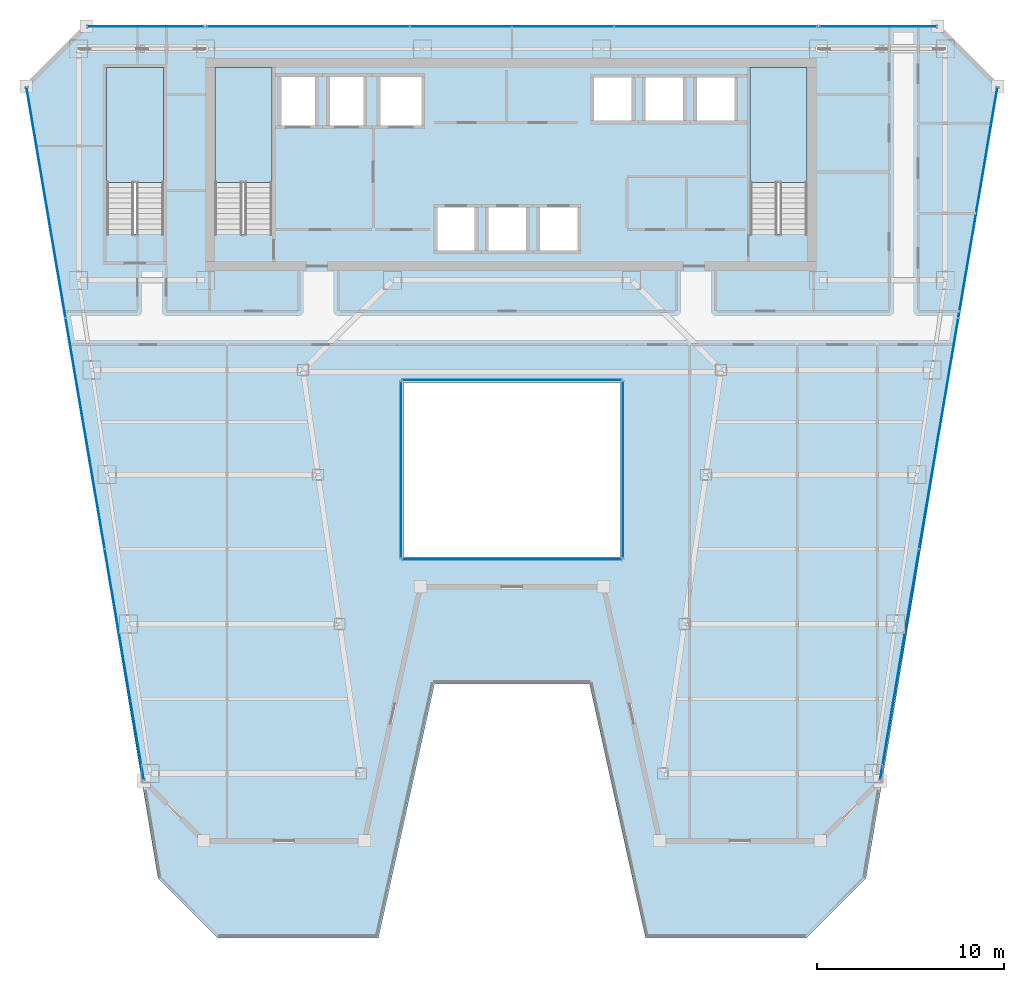
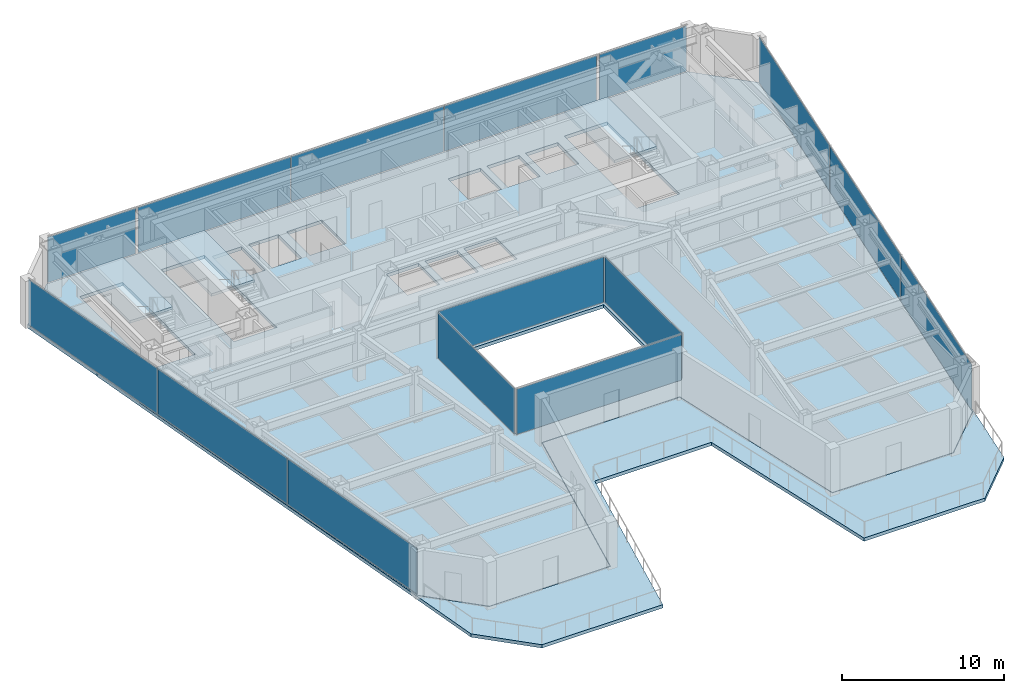
# One storey, part 22 of 31: 15 plates, 5 slabs, 12 elements without a shape of their own.
"""IFC4 building model written with IfcOpenShell, lengths in metres."""

from ifc_helpers import new_model, si_unit, direction, frame, origin, origin_2d, place, context, subcontext, project, spatial, polyline, rectangle, outline, extrude, material, layer, layer_set, type_object, element, aggregate, save


model = new_model("IFC4")

# Units and contexts
model_context = context("Model", 3, precision=1e-05, world=origin(), true_north=direction((0.0, 1.0)))
body_context = subcontext(model_context, "Body", "Model", "MODEL_VIEW")
ifc_project = project(units=[si_unit("LENGTHUNIT", "METRE"), si_unit("AREAUNIT", "SQUARE_METRE"), si_unit("VOLUMEUNIT", "CUBIC_METRE"), si_unit("PLANEANGLEUNIT", "RADIAN"), si_unit("MASSUNIT", "GRAM", prefix="KILO")], contexts=[model_context])

# Site, building, storey
site_placement = place(None, origin())
site = spatial("IfcSite", under=ifc_project, at=site_placement, CompositionType="ELEMENT")
building_placement = place(site_placement, origin())
building = spatial("IfcBuilding", under=site, at=building_placement, Name="Saevonmaru Cultural Tower", CompositionType="ELEMENT")
storey_placement = place(building_placement, frame((0.0, 0.0, 167.60009765625)))
storey = spatial("IfcBuildingStorey", under=building, at=storey_placement, Name="L37", CompositionType="ELEMENT", Elevation=167.60009765625)

# Curtain wall, plate
ifc_material_1 = material(Name="Satin Bronze Anodised Aluminium", Category="aluminium")
curtain_wall_type_1 = type_object("IfcCurtainWallType", Name="CW-ATR-GLZ", PredefinedType="NOTDEFINED", material=ifc_material_1)
curtain_wall_1_placement = place(storey_placement, origin())
curtain_wall_1 = element("IfcCurtainWall", 1, at=curtain_wall_1_placement, inside=storey, type_object=curtain_wall_type_1, Name="L37 Vertical Atrium Glazed Smoke Screen 1", PredefinedType="NOTDEFINED")
ifc_material_2 = material(Name="Fire-Rated Laminated Atrium Glass", Category="glass")
ifc_layer_1 = layer(ifc_material_2, 0.031982421875, Name="Fire-Rated Laminated Atrium Glass")
ifc_layer_set_1 = layer_set([ifc_layer_1], Name="Fire-Rated Laminated Atrium Glass")
plate_type_1 = type_object("IfcPlateType", Name="PN-GLZ-ATR-INT", PredefinedType="CURTAIN_PANEL", material=ifc_layer_set_1)
plate_1_placement = place(storey_placement, frame((30.0, 27.449951171875, 0.06689453125), z_axis=(0.0, 0.0, 1.0), x_axis=(1.0, 0.0, 0.0)))
plate_1 = element("IfcPlate", 2, at=plate_1_placement, type_object=plate_type_1, Name="CW-ATR-L37-1 panel 1.1", PredefinedType="CURTAIN_PANEL", context=body_context, shape_type="SweptSolid", body=[
    extrude(rectangle(XDim=11.7109375, YDim=0.031982421875, at=origin_2d()), origin(), (0.0, 0.0, 1.0), 3.416015625),
])
aggregate(curtain_wall_1, [plate_1])

curtain_wall_2_placement = place(storey_placement, origin())
curtain_wall_2 = element("IfcCurtainWall", 3, at=curtain_wall_2_placement, inside=storey, type_object=curtain_wall_type_1, Name="L37 Vertical Atrium Glazed Smoke Screen 2", PredefinedType="NOTDEFINED")
plate_2_placement = place(storey_placement, frame((35.949951171875, 32.260009765625, 0.06689453125), z_axis=(0.0, 0.0, 1.0), x_axis=(0.0, 1.0, 0.0)))
plate_2 = element("IfcPlate", 4, at=plate_2_placement, type_object=plate_type_1, Name="CW-ATR-L37-2 panel 1.1", PredefinedType="CURTAIN_PANEL", context=body_context, shape_type="SweptSolid", body=[
    extrude(rectangle(XDim=9.430908203125, YDim=0.031982421875, at=origin_2d()), origin(), (0.0, 0.0, 1.0), 3.416015625),
])
aggregate(curtain_wall_2, [plate_2])

curtain_wall_3_placement = place(storey_placement, origin())
curtain_wall_3 = element("IfcCurtainWall", 5, at=curtain_wall_3_placement, inside=storey, type_object=curtain_wall_type_1, Name="L37 Vertical Atrium Glazed Smoke Screen 3", PredefinedType="NOTDEFINED")
plate_3_placement = place(storey_placement, frame((30.0, 37.070068359375, 0.06689453125), z_axis=(0.0, 0.0, 1.0), x_axis=(-1.0, 0.0, 0.0)))
plate_3 = element("IfcPlate", 6, at=plate_3_placement, type_object=plate_type_1, Name="CW-ATR-L37-3 panel 1.1", PredefinedType="CURTAIN_PANEL", context=body_context, shape_type="SweptSolid", body=[
    extrude(rectangle(XDim=11.7109375, YDim=0.031982421875, at=origin_2d()), origin(), (0.0, 0.0, 1.0), 3.416015625),
])
aggregate(curtain_wall_3, [plate_3])

curtain_wall_4_placement = place(storey_placement, origin())
curtain_wall_4 = element("IfcCurtainWall", 7, at=curtain_wall_4_placement, inside=storey, type_object=curtain_wall_type_1, Name="L37 Vertical Atrium Glazed Smoke Screen 4", PredefinedType="NOTDEFINED")
plate_4_placement = place(storey_placement, frame((24.050048828125, 32.260009765625, 0.06689453125), z_axis=(0.0, 0.0, 1.0), x_axis=(0.0, -1.0, 0.0)))
plate_4 = element("IfcPlate", 8, at=plate_4_placement, type_object=plate_type_1, Name="CW-ATR-L37-4 panel 1.1", PredefinedType="CURTAIN_PANEL", context=body_context, shape_type="SweptSolid", body=[
    extrude(rectangle(XDim=9.430908203125, YDim=0.031982421875, at=origin_2d()), origin(), (0.0, 0.0, 1.0), 3.416015625),
])
aggregate(curtain_wall_4, [plate_4])

# Curtain wall, plates
curtain_wall_type_2 = type_object("IfcCurtainWallType", Name="CW-TYP-A", PredefinedType="NOTDEFINED", material=ifc_material_1)
curtain_wall_5_placement = place(storey_placement, origin())
curtain_wall_5 = element("IfcCurtainWall", 9, at=curtain_wall_5_placement, inside=storey, type_object=curtain_wall_type_2, Name="L37 Unitised Curtain Wall E8", PredefinedType="NOTDEFINED")
ifc_material_3 = material(Name="Triple Silver Low-E Insulating Glass", Category="glass")
ifc_layer_2 = layer(ifc_material_3, 0.035888671875, Name="Triple Silver Low-E Insulating Glass")
ifc_layer_set_2 = layer_set([ifc_layer_2], Name="Triple Silver Low-E Insulating Glass")
plate_type_2 = type_object("IfcPlateType", Name="PN-GLZ-IGU", PredefinedType="CURTAIN_PANEL", material=ifc_layer_set_2)
plate_5_placement = place(storey_placement, frame((50.758544921875, 21.83935546875, 0.06689453125), z_axis=(0.0, 0.0, 1.0), x_axis=(0.16692169721, 0.985970155228, 0.0)))
plate_5 = element("IfcPlate", 10, at=plate_5_placement, type_object=plate_type_2, Name="CW-TW-L37-E8 panel 1.1", PredefinedType="CURTAIN_PANEL", context=body_context, shape_type="SweptSolid", body=[
    extrude(rectangle(XDim=12.467529296875, YDim=0.035888671875, at=origin_2d()), origin(), (0.0, 0.0, 1.0), 3.416015625),
])
plate_6_placement = place(storey_placement, frame((52.85107421875, 34.199951171875, 0.06689453125), z_axis=(0.0, 0.0, 1.0), x_axis=(0.16692169721, 0.985970155228, 0.0)))
plate_6 = element("IfcPlate", 11, at=plate_6_placement, type_object=plate_type_2, Name="CW-TW-L37-E8 panel 2.1", PredefinedType="CURTAIN_PANEL", context=body_context, shape_type="SweptSolid", body=[
    extrude(rectangle(XDim=12.467529296875, YDim=0.035888671875, at=origin_2d()), origin(), (0.0, 0.0, 1.0), 3.416015625),
])
plate_7_placement = place(storey_placement, frame((54.943603515625, 46.560546875, 0.06689453125), z_axis=(0.0, 0.0, 1.0), x_axis=(0.16692169721, 0.985970155228, 0.0)))
plate_7 = element("IfcPlate", 12, at=plate_7_placement, type_object=plate_type_2, Name="CW-TW-L37-E8 panel 3.1", PredefinedType="CURTAIN_PANEL", context=body_context, shape_type="SweptSolid", body=[
    extrude(rectangle(XDim=12.467529296875, YDim=0.035888671875, at=origin_2d()), origin(), (0.0, 0.0, 1.0), 3.416015625),
])
aggregate(curtain_wall_5, [plate_5, plate_6, plate_7])

curtain_wall_6_placement = place(storey_placement, origin())
curtain_wall_6 = element("IfcCurtainWall", 13, at=curtain_wall_6_placement, inside=storey, type_object=curtain_wall_type_2, Name="L37 North Spine Unitised Curtain Wall E10B", PredefinedType="NOTDEFINED")
plate_8_placement = place(storey_placement, frame((40.893310546875, 56.0, 0.06689453125), z_axis=(0.0, 0.0, 1.0), x_axis=(-1.0, 0.0, 0.0)))
plate_8 = element("IfcPlate", 14, at=plate_8_placement, type_object=plate_type_2, Name="CW-TW-L37-E10B panel 1.1", PredefinedType="CURTAIN_PANEL", context=body_context, shape_type="SweptSolid", body=[
    extrude(rectangle(XDim=10.82421875, YDim=0.035888671875, at=origin_2d()), origin(), (0.0, 0.0, 1.0), 3.416015625),
])
plate_9_placement = place(storey_placement, frame((30.0, 56.0, 0.06689453125), z_axis=(0.0, 0.0, 1.0), x_axis=(-1.0, 0.0, 0.0)))
plate_9 = element("IfcPlate", 15, at=plate_9_placement, type_object=plate_type_2, Name="CW-TW-L37-E10B panel 2.1", PredefinedType="CURTAIN_PANEL", context=body_context, shape_type="SweptSolid", body=[
    extrude(rectangle(XDim=10.82421875, YDim=0.035888671875, at=origin_2d()), origin(), (0.0, 0.0, 1.0), 3.416015625),
])
plate_10_placement = place(storey_placement, frame((19.106689453125, 56.0, 0.06689453125), z_axis=(0.0, 0.0, 1.0), x_axis=(-1.0, 0.0, 0.0)))
plate_10 = element("IfcPlate", 16, at=plate_10_placement, type_object=plate_type_2, Name="CW-TW-L37-E10B panel 3.1", PredefinedType="CURTAIN_PANEL", context=body_context, shape_type="SweptSolid", body=[
    extrude(rectangle(XDim=10.82421875, YDim=0.035888671875, at=origin_2d()), origin(), (0.0, 0.0, 1.0), 3.416015625),
])
aggregate(curtain_wall_6, [plate_8, plate_9, plate_10])

curtain_wall_7_placement = place(storey_placement, origin())
curtain_wall_7 = element("IfcCurtainWall", 17, at=curtain_wall_7_placement, inside=storey, type_object=curtain_wall_type_2, Name="L37 Unitised Curtain Wall E12", PredefinedType="NOTDEFINED")
plate_11_placement = place(storey_placement, frame((5.056396484375, 46.560546875, 0.06689453125), z_axis=(0.0, 0.0, 1.0), x_axis=(0.16692169721, -0.985970155228, 0.0)))
plate_11 = element("IfcPlate", 18, at=plate_11_placement, type_object=plate_type_2, Name="CW-TW-L37-E12 panel 1.1", PredefinedType="CURTAIN_PANEL", context=body_context, shape_type="SweptSolid", body=[
    extrude(rectangle(XDim=12.467529296875, YDim=0.035888671875, at=origin_2d()), origin(), (0.0, 0.0, 1.0), 3.416015625),
])
plate_12_placement = place(storey_placement, frame((7.14892578125, 34.199951171875, 0.06689453125), z_axis=(0.0, 0.0, 1.0), x_axis=(0.16692169721, -0.985970155228, 0.0)))
plate_12 = element("IfcPlate", 19, at=plate_12_placement, type_object=plate_type_2, Name="CW-TW-L37-E12 panel 2.1", PredefinedType="CURTAIN_PANEL", context=body_context, shape_type="SweptSolid", body=[
    extrude(rectangle(XDim=12.467529296875, YDim=0.035888671875, at=origin_2d()), origin(), (0.0, 0.0, 1.0), 3.416015625),
])
plate_13_placement = place(storey_placement, frame((9.241455078125, 21.83935546875, 0.06689453125), z_axis=(0.0, 0.0, 1.0), x_axis=(0.16692169721, -0.985970155228, 0.0)))
plate_13 = element("IfcPlate", 20, at=plate_13_placement, type_object=plate_type_2, Name="CW-TW-L37-E12 panel 3.1", PredefinedType="CURTAIN_PANEL", context=body_context, shape_type="SweptSolid", body=[
    extrude(rectangle(XDim=12.467529296875, YDim=0.035888671875, at=origin_2d()), origin(), (0.0, 0.0, 1.0), 3.416015625),
])
aggregate(curtain_wall_7, [plate_11, plate_12, plate_13])

# Curtain wall, plate
curtain_wall_8_placement = place(storey_placement, origin())
curtain_wall_8 = element("IfcCurtainWall", 21, at=curtain_wall_8_placement, inside=storey, type_object=curtain_wall_type_2, Name="L37 East Braced Bay Spandrel Curtain Wall E10A", PredefinedType="NOTDEFINED")
ifc_material_4 = material(Name="Insulated Satin Bronze Aluminium Spandrel Panel", Category="aluminium")
ifc_layer_3 = layer(ifc_material_4, 0.0400390625, Name="Insulated Satin Bronze Aluminium Spandrel Panel")
ifc_layer_set_3 = layer_set([ifc_layer_3], Name="Insulated Satin Bronze Aluminium Spandrel Panel")
plate_type_3 = type_object("IfcPlateType", Name="PN-SPANDREL-BRONZE", PredefinedType="CURTAIN_PANEL", material=ifc_layer_set_3)
plate_14_placement = place(storey_placement, frame((49.60009765625, 56.0, 0.06689453125), z_axis=(0.0, 0.0, 1.0), x_axis=(-1.0, 0.0, 0.0)))
plate_14 = element("IfcPlate", 22, at=plate_14_placement, type_object=plate_type_3, Name="CW-TW-L37-E10A panel 1.1", PredefinedType="CURTAIN_PANEL", context=body_context, shape_type="SweptSolid", body=[
    extrude(rectangle(XDim=6.2109375, YDim=0.035888671875, at=origin_2d()), origin(), (0.0, 0.0, 1.0), 3.416015625),
])
aggregate(curtain_wall_8, [plate_14])

curtain_wall_9_placement = place(storey_placement, origin())
curtain_wall_9 = element("IfcCurtainWall", 23, at=curtain_wall_9_placement, inside=storey, type_object=curtain_wall_type_2, Name="L37 West Braced Bay Spandrel Curtain Wall E10C", PredefinedType="NOTDEFINED")
plate_15_placement = place(storey_placement, frame((10.39990234375, 56.0, 0.06689453125), z_axis=(0.0, 0.0, 1.0), x_axis=(-1.0, 0.0, 0.0)))
plate_15 = element("IfcPlate", 24, at=plate_15_placement, type_object=plate_type_3, Name="CW-TW-L37-E10C panel 1.1", PredefinedType="CURTAIN_PANEL", context=body_context, shape_type="SweptSolid", body=[
    extrude(rectangle(XDim=6.2109375, YDim=0.035888671875, at=origin_2d()), origin(), (0.0, 0.0, 1.0), 3.416015625),
])
aggregate(curtain_wall_9, [plate_15])

# Slab
ifc_material_5 = material(Name="Concrete C40/50", Category="concrete")
ifc_layer_4 = layer(ifc_material_5, 0.25, Name="Concrete C40/50")
ifc_layer_set_4 = layer_set([ifc_layer_4], Name="Concrete C40/50")
slab_type_1 = type_object("IfcSlabType", Name="SL-FLR-250", PredefinedType="FLOOR", material=ifc_layer_set_4)
slab_1_placement = place(storey_placement, frame((0.0, 0.0, -0.25)))
element("IfcSlab", 25, at=slab_1_placement, inside=storey, type_object=slab_type_1, Name="L37 Tower Structural Floor Slab", PredefinedType="FLOOR", context=body_context, shape_type="SweptSolid", body=[
    extrude(outline(polyline([(10.2978515625, 15.60009765625), (13.497802734375, 12.39990234375), (22.097900390625, 12.39990234375), (25.097900390625, 26.0), (34.902099609375, 26.0), (37.902099609375, 12.39990234375), (46.502197265625, 12.39990234375), (49.7021484375, 15.60009765625), (56.0, 52.800048828125), (52.800048828125, 56.0), (7.199951171875, 56.0), (4.0, 52.800048828125), (10.2978515625, 15.60009765625)]), holes=[polyline([(45.800048828125, 44.875), (42.75, 44.875), (42.75, 53.800048828125), (45.800048828125, 53.800048828125), (45.800048828125, 44.875)]), polyline([(39.75, 50.800048828125), (39.75, 53.39990234375), (42.050048828125, 53.39990234375), (42.050048828125, 50.800048828125), (39.75, 50.800048828125)]), polyline([(37.0, 50.800048828125), (37.0, 53.39990234375), (39.300048828125, 53.39990234375), (39.300048828125, 50.800048828125), (37.0, 50.800048828125)]), polyline([(34.25, 50.800048828125), (34.25, 53.39990234375), (36.550048828125, 53.39990234375), (36.550048828125, 50.800048828125), (34.25, 50.800048828125)]), polyline([(24.199951171875, 27.60009765625), (24.199951171875, 36.919921875), (35.800048828125, 36.919921875), (35.800048828125, 27.60009765625), (24.199951171875, 27.60009765625)]), polyline([(31.35009765625, 43.85009765625), (31.35009765625, 46.449951171875), (33.64990234375, 46.449951171875), (33.64990234375, 43.85009765625), (31.35009765625, 43.85009765625)]), polyline([(28.60009765625, 43.85009765625), (28.60009765625, 46.449951171875), (30.89990234375, 46.449951171875), (30.89990234375, 43.85009765625), (28.60009765625, 43.85009765625)]), polyline([(28.14990234375, 43.85009765625), (25.85009765625, 43.85009765625), (25.85009765625, 46.449951171875), (28.14990234375, 46.449951171875), (28.14990234375, 43.85009765625)]), polyline([(25.300048828125, 50.550048828125), (22.800048828125, 50.550048828125), (22.800048828125, 53.449951171875), (25.300048828125, 53.449951171875), (25.300048828125, 50.550048828125)]), polyline([(20.10009765625, 50.550048828125), (20.10009765625, 53.449951171875), (22.199951171875, 53.449951171875), (22.199951171875, 50.550048828125), (20.10009765625, 50.550048828125)]), polyline([(17.5, 50.550048828125), (17.5, 53.449951171875), (19.60009765625, 53.449951171875), (19.60009765625, 50.550048828125), (17.5, 50.550048828125)]), polyline([(17.14990234375, 53.800048828125), (17.14990234375, 44.875), (14.10009765625, 44.875), (14.10009765625, 53.800048828125), (17.14990234375, 53.800048828125)]), polyline([(11.35009765625, 44.875), (8.300048828125, 44.875), (8.300048828125, 53.800048828125), (11.35009765625, 53.800048828125), (11.35009765625, 44.875)])]), origin(), (0.0, 0.0, 1.0), 0.25),
])

# Stair, slab
stair_type = type_object("IfcStairType", Name="STR-DOGLEG-RC", PredefinedType="HALF_TURN_STAIR", material=ifc_material_5)
stair_1_placement = place(storey_placement, origin())
stair_1 = element("IfcStair", 26, at=stair_1_placement, inside=storey, type_object=stair_type, Name="L37 Protected exit stair ST-1", PredefinedType="HALF_TURN_STAIR")
ifc_layer_5 = layer(ifc_material_5, 0.199951171875, Name="Concrete C40/50")
ifc_layer_set_5 = layer_set([ifc_layer_5], Name="Concrete C40/50")
slab_type_2 = type_object("IfcSlabType", Name="SL-STAIR-LANDING", PredefinedType="LANDING", material=ifc_layer_set_5)
slab_2_placement = place(storey_placement, frame((0.0, 0.0, 1.699951171875)))
slab_2 = element("IfcSlab", 27, at=slab_2_placement, type_object=slab_type_2, Name="ST-1-L37 landing 1", PredefinedType="LANDING", context=body_context, shape_type="SweptSolid", body=[
    extrude(outline(polyline([(17.14990234375, 47.64990234375), (17.14990234375, 53.800048828125), (14.10009765625, 53.800048828125), (14.10009765625, 47.64990234375), (17.14990234375, 47.64990234375)])), origin(), (0.0, 0.0, 1.0), 0.199951171875),
])
aggregate(stair_1, [slab_2])

stair_2_placement = place(storey_placement, origin())
stair_2 = element("IfcStair", 28, at=stair_2_placement, inside=storey, type_object=stair_type, Name="L37 Protected exit stair ST-2", PredefinedType="HALF_TURN_STAIR")
slab_3_placement = place(storey_placement, frame((0.0, 0.0, 1.699951171875)))
slab_3 = element("IfcSlab", 29, at=slab_3_placement, type_object=slab_type_2, Name="ST-2-L37 landing 1", PredefinedType="LANDING", context=body_context, shape_type="SweptSolid", body=[
    extrude(outline(polyline([(45.800048828125, 47.64990234375), (45.800048828125, 53.800048828125), (42.75, 53.800048828125), (42.75, 47.64990234375), (45.800048828125, 47.64990234375)])), origin(), (0.0, 0.0, 1.0), 0.199951171875),
])
aggregate(stair_2, [slab_3])

stair_3_placement = place(storey_placement, origin())
stair_3 = element("IfcStair", 30, at=stair_3_placement, inside=storey, type_object=stair_type, Name="L37 Protected exit stair ST-3", PredefinedType="HALF_TURN_STAIR")
slab_4_placement = place(storey_placement, frame((0.0, 0.0, 1.699951171875)))
slab_4 = element("IfcSlab", 31, at=slab_4_placement, type_object=slab_type_2, Name="ST-3-L37 landing 1", PredefinedType="LANDING", context=body_context, shape_type="SweptSolid", body=[
    extrude(outline(polyline([(11.35009765625, 47.64990234375), (11.35009765625, 53.800048828125), (8.300048828125, 53.800048828125), (8.300048828125, 47.64990234375), (11.35009765625, 47.64990234375)])), origin(), (0.0, 0.0, 1.0), 0.199951171875),
])
aggregate(stair_3, [slab_4])

# Slab
ifc_layer_6 = layer(ifc_material_5, 0.25, Name="Concrete C40/50")
ifc_layer_set_6 = layer_set([ifc_layer_6], Name="Concrete C40/50")
slab_type_3 = type_object("IfcSlabType", Name="SL-TERR-250", PredefinedType="FLOOR", material=ifc_layer_set_6)
slab_5_placement = place(storey_placement, frame((0.0, 0.0, -0.25)))
element("IfcSlab", 32, at=slab_5_placement, inside=storey, type_object=slab_type_3, Name="L37 Sawtooth Setback Roof Terrace 1", PredefinedType="FLOOR", context=body_context, shape_type="SweptSolid", body=[
    extrude(outline(polyline([(54.8935546875, 46.14501953125), (49.721923828125, 15.5966796875), (49.721435546875, 15.5947265625), (49.720703125, 15.5927734375), (49.719970703125, 15.5908203125), (49.718994140625, 15.589111328125), (49.7177734375, 15.58740234375), (49.71630859375, 15.5859375), (46.516357421875, 12.385986328125), (46.514892578125, 12.384521484375), (46.51318359375, 12.38330078125), (46.51171875, 12.38232421875), (46.510009765625, 12.381591796875), (46.508056640625, 12.380859375), (46.506103515625, 12.38037109375), (46.504150390625, 12.380126953125), (46.502197265625, 12.3798828125), (37.902099609375, 12.3798828125), (37.900390625, 12.380126953125), (37.8984375, 12.38037109375), (37.896484375, 12.380859375), (37.894775390625, 12.381591796875), (37.892822265625, 12.38232421875), (37.89111328125, 12.38330078125), (37.8896484375, 12.384521484375), (37.88818359375, 12.3857421875), (37.886962890625, 12.38720703125), (37.8857421875, 12.388671875), (37.884765625, 12.390380859375), (37.8837890625, 12.39208984375), (37.88330078125, 12.393798828125), (37.8828125, 12.395751953125), (34.885986328125, 25.97998046875), (25.114013671875, 25.97998046875), (22.1171875, 12.395751953125), (22.11669921875, 12.393798828125), (22.1162109375, 12.39208984375), (22.115234375, 12.390380859375), (22.1142578125, 12.388671875), (22.113037109375, 12.38720703125), (22.11181640625, 12.3857421875), (22.1103515625, 12.384521484375), (22.10888671875, 12.38330078125), (22.107177734375, 12.38232421875), (22.105224609375, 12.381591796875), (22.103515625, 12.380859375), (22.1015625, 12.38037109375), (22.099609375, 12.380126953125), (22.097900390625, 12.3798828125), (13.497802734375, 12.3798828125), (13.495849609375, 12.380126953125), (13.493896484375, 12.38037109375), (13.491943359375, 12.380859375), (13.489990234375, 12.381591796875), (13.48828125, 12.38232421875), (13.48681640625, 12.38330078125), (13.485107421875, 12.384521484375), (13.483642578125, 12.385986328125), (10.28369140625, 15.5859375), (10.2822265625, 15.58740234375), (10.281005859375, 15.589111328125), (10.280029296875, 15.5908203125), (10.279296875, 15.5927734375), (10.278564453125, 15.5947265625), (10.278076171875, 15.5966796875), (5.1064453125, 46.14501953125), (11.048828125, 10.39990234375), (14.248779296875, 7.199951171875), (22.848876953125, 7.199951171875), (25.848876953125, 20.800048828125), (34.151123046875, 20.800048828125), (37.151123046875, 7.199951171875), (45.751220703125, 7.199951171875), (48.951171875, 10.39990234375), (54.8935546875, 46.14501953125)])), origin(), (0.0, 0.0, 1.0), 0.25),
])

save(model, "model.ifc")
